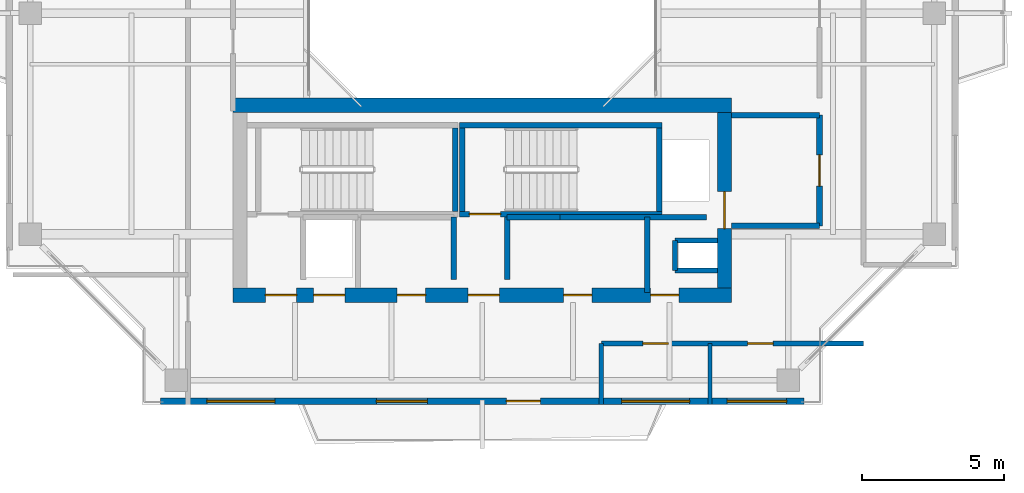
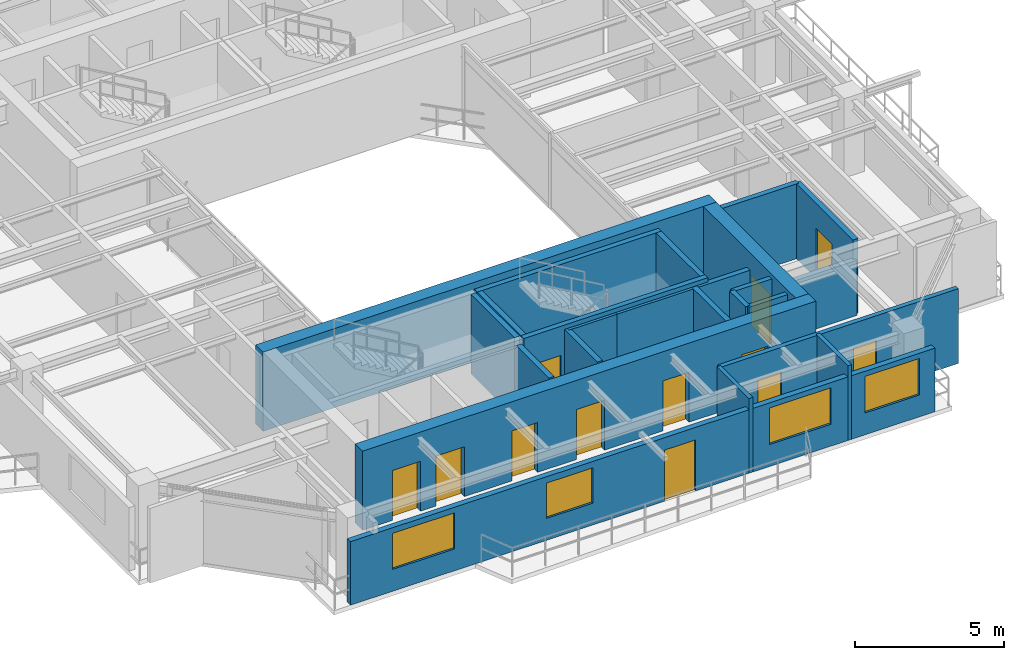
# One storey, part 10 of 15: 23 walls, 12 doors, 4 windows, 16 openings.
"""IFC4 building model written with IfcOpenShell, lengths in metres."""

from ifc_helpers import new_model, si_unit, direction, frame, frame_2d, origin, place, context, subcontext, project, spatial, rectangle, extrude, source, transform, mapped, material, layer, layer_set, type_object, element, fill, save


model = new_model("IFC4")

# Units and contexts
model_context = context("Model", 3, precision=1e-05, world=origin(), true_north=direction((0.0, 1.0)))
body_context = subcontext(model_context, "Body", "Model", "MODEL_VIEW")
ifc_project = project(units=[si_unit("LENGTHUNIT", "METRE"), si_unit("AREAUNIT", "SQUARE_METRE"), si_unit("VOLUMEUNIT", "CUBIC_METRE"), si_unit("PLANEANGLEUNIT", "RADIAN"), si_unit("MASSUNIT", "GRAM", prefix="KILO"), si_unit("THERMODYNAMICTEMPERATUREUNIT", "KELVIN"), si_unit("POWERUNIT", "WATT")], contexts=[model_context])

# Site, building, storey
site_placement = place(None, origin())
site = spatial("IfcSite", under=ifc_project, at=site_placement, CompositionType="ELEMENT")
building_placement = place(site_placement, origin())
building = spatial("IfcBuilding", under=site, at=building_placement, Name="Qiaomeng Ring Towers", CompositionType="ELEMENT")
storey_placement = place(building_placement, frame((0.0, 0.0, 226.25)))
storey = spatial("IfcBuildingStorey", under=building, at=storey_placement, Name="L66", CompositionType="ELEMENT", Elevation=226.25)

# Wall, openings, windows, door
ifc_material_1 = material(Name="Precast concrete C40", Category="concrete")
ifc_layer_1 = layer(ifc_material_1, 0.219970703125, Name="Precast concrete C40")
ifc_layer_set_1 = layer_set([ifc_layer_1], Name="Precast concrete C40")
wall_type_1 = type_object("IfcWallType", Name="ARC-WL-EW2", PredefinedType="STANDARD", material=ifc_layer_set_1)
wall_1_placement = place(storey_placement, frame((7.64990234375, 6.31005859375, 0.0), z_axis=(0.0, 0.0, 1.0), x_axis=(1.0, 0.0, 0.0)))
wall_1 = element("IfcWall", 1, at=wall_1_placement, inside=storey, type_object=wall_type_1, Name="L66 Tower 1 S Exterior Wall", PredefinedType="STANDARD", context=body_context, shape_type="SweptSolid", body=[
    extrude(rectangle(XDim=22.7001953125, YDim=0.219970703125, at=frame_2d((11.35009765625, 0.0))), origin(), (0.0, 0.0, 1.0), 2.610107421875),
])
opening_1_placement = place(wall_1_placement, frame((12.199951171875, 0.0, 0.0)))
opening_1 = element("IfcOpeningElement", 2, at=opening_1_placement, cuts=wall_1, Name="Opening BD1", PredefinedType="OPENING", context=body_context, shape_type="SweptSolid", body=[
    extrude(rectangle(XDim=1.199951171875, YDim=2.10009765625, at=frame_2d((0.60009765625, 1.050048828125))), frame((0.0, 0.119873046875, 0.0), z_axis=(0.0, -1.0, 0.0), x_axis=(1.0, 0.0, 0.0)), (0.0, 0.0, 1.0), 0.239990234375),
])
opening_2_placement = place(wall_1_placement, frame((1.636962890625, 0.0, 0.89990234375)))
opening_2 = element("IfcOpeningElement", 3, at=opening_2_placement, cuts=wall_1, Name="Opening WN6", PredefinedType="OPENING", context=body_context, shape_type="SweptSolid", body=[
    extrude(rectangle(XDim=2.39990234375, YDim=1.47998046875, at=frame_2d((1.199951171875, 0.739990234375))), frame((0.0, 0.119873046875, 0.0), z_axis=(0.0, -1.0, 0.0), x_axis=(1.0, 0.0, 0.0)), (0.0, 0.0, 1.0), 0.239990234375),
])
opening_3_placement = place(wall_1_placement, frame((7.612060546875, 0.0, 0.89990234375)))
opening_3 = element("IfcOpeningElement", 4, at=opening_3_placement, cuts=wall_1, Name="Opening WN1", PredefinedType="OPENING", context=body_context, shape_type="SweptSolid", body=[
    extrude(rectangle(XDim=1.800048828125, YDim=1.449951171875, at=frame_2d((0.89990234375, 0.72509765625))), frame((0.0, 0.119873046875, 0.0), z_axis=(0.0, -1.0, 0.0), x_axis=(1.0, 0.0, 0.0)), (0.0, 0.0, 1.0), 0.239990234375),
])
opening_4_placement = place(wall_1_placement, frame((19.987548828125, 0.0, 0.89990234375)))
opening_4 = element("IfcOpeningElement", 5, at=opening_4_placement, cuts=wall_1, Name="Opening WN4", PredefinedType="OPENING", context=body_context, shape_type="SweptSolid", body=[
    extrude(rectangle(XDim=2.10009765625, YDim=1.5, at=frame_2d((1.050048828125, 0.75))), frame((0.0, 0.119873046875, 0.0), z_axis=(0.0, -1.0, 0.0), x_axis=(1.0, 0.0, 0.0)), (0.0, 0.0, 1.0), 0.239990234375),
])
opening_5_placement = place(wall_1_placement, frame((16.27001953125, 0.0, 0.89990234375)))
opening_5 = element("IfcOpeningElement", 6, at=opening_5_placement, cuts=wall_1, Name="Opening WN6", PredefinedType="OPENING", context=body_context, shape_type="SweptSolid", body=[
    extrude(rectangle(XDim=2.39990234375, YDim=1.5, at=frame_2d((1.199951171875, 0.75))), frame((0.0, 0.119873046875, 0.0), z_axis=(0.0, -1.0, 0.0), x_axis=(1.0, 0.0, 0.0)), (0.0, 0.0, 1.0), 0.239990234375),
])
ifc_material_2 = material(Name="Low-E dark-grey laminated double glazing", Category="glass")
window_type_1 = type_object("IfcWindowType", Name="ARC-WN-4", PartitioningType="TRIPLE_PANEL_VERTICAL", PredefinedType="WINDOW", material=ifc_material_2)
shared_shape_1 = source(origin(), body_context, "Body", "SweptSolid", [
    extrude(rectangle(XDim=2.10009765625, YDim=1.5, at=frame_2d((1.050048828125, 0.75))), frame((0.0, 0.030029296875, 0.0), z_axis=(0.0, -1.0, 0.0), x_axis=(1.0, 0.0, 0.0)), (0.0, 0.0, 1.0), 0.06005859375),
])
window_1_placement = place(opening_4_placement, origin())
window_1 = element("IfcWindow", 7, at=window_1_placement, inside=storey, type_object=window_type_1, Name="L66 Exterior Window WN4", OverallHeight=1.5, OverallWidth=2.10009765625, PartitioningType="TRIPLE_PANEL_VERTICAL", PredefinedType="WINDOW", context=body_context, shape_type="MappedRepresentation", body=[
    mapped(shared_shape_1, transform((0.0, 0.0, 0.0), x_axis=(1.0, 0.0, 0.0), y_axis=(0.0, 1.0, 0.0), z_axis=(0.0, 0.0, 1.0), scale=1.0)),
])
fill(opening_4, window_1)
window_type_2 = type_object("IfcWindowType", Name="ARC-WN-1", PartitioningType="DOUBLE_PANEL_VERTICAL", PredefinedType="WINDOW", material=ifc_material_2)
shared_shape_2 = source(origin(), body_context, "Body", "SweptSolid", [
    extrude(rectangle(XDim=1.800048828125, YDim=1.449951171875, at=frame_2d((0.89990234375, 0.72509765625))), frame((0.0, 0.030029296875, 0.0), z_axis=(0.0, -1.0, 0.0), x_axis=(1.0, 0.0, 0.0)), (0.0, 0.0, 1.0), 0.06005859375),
])
window_2_placement = place(opening_3_placement, origin())
window_2 = element("IfcWindow", 8, at=window_2_placement, inside=storey, type_object=window_type_2, Name="L66 Exterior Window WN1", OverallHeight=1.449951171875, OverallWidth=1.800048828125, PartitioningType="DOUBLE_PANEL_VERTICAL", PredefinedType="WINDOW", context=body_context, shape_type="MappedRepresentation", body=[
    mapped(shared_shape_2, transform((0.0, 0.0, 0.0), x_axis=(1.0, 0.0, 0.0), y_axis=(0.0, 1.0, 0.0), z_axis=(0.0, 0.0, 1.0), scale=1.0)),
])
fill(opening_3, window_2)
window_type_3 = type_object("IfcWindowType", Name="ARC-WN-6", PartitioningType="TRIPLE_PANEL_VERTICAL", PredefinedType="WINDOW", material=ifc_material_2)
shared_shape_3 = source(origin(), body_context, "Body", "SweptSolid", [
    extrude(rectangle(XDim=2.39990234375, YDim=1.47998046875, at=frame_2d((1.199951171875, 0.739990234375))), frame((0.0, 0.030029296875, 0.0), z_axis=(0.0, -1.0, 0.0), x_axis=(1.0, 0.0, 0.0)), (0.0, 0.0, 1.0), 0.06005859375),
])
window_3_placement = place(opening_2_placement, origin())
window_3 = element("IfcWindow", 9, at=window_3_placement, inside=storey, type_object=window_type_3, Name="L66 Exterior Window WN6", OverallHeight=1.47998046875, OverallWidth=2.39990234375, PartitioningType="TRIPLE_PANEL_VERTICAL", PredefinedType="WINDOW", context=body_context, shape_type="MappedRepresentation", body=[
    mapped(shared_shape_3, transform((0.0, 0.0, 0.0), x_axis=(1.0, 0.0, 0.0), y_axis=(0.0, 1.0, 0.0), z_axis=(0.0, 0.0, 1.0), scale=1.0)),
])
fill(opening_2, window_3)
door_type_1 = type_object("IfcDoorType", Name="ARC-DR-BD1", OperationType="NOTDEFINED", PredefinedType="DOOR", material=ifc_material_2)
shared_shape_4 = source(origin(), body_context, "Body", "SweptSolid", [
    extrude(rectangle(XDim=1.199951171875, YDim=2.10009765625, at=frame_2d((0.60009765625, 1.050048828125))), frame((0.0, 0.02490234375, 0.0), z_axis=(0.0, -1.0, 0.0), x_axis=(1.0, 0.0, 0.0)), (0.0, 0.0, 1.0), 0.050048828125),
])
door_1_placement = place(opening_1_placement, frame((1.199951171875, 0.0, 0.0), z_axis=(0.0, 0.0, 1.0), x_axis=(-1.0, 0.0, 0.0)))
door_1 = element("IfcDoor", 10, at=door_1_placement, inside=storey, type_object=door_type_1, Name="L66 S Balcony Glazed Door", OperationType="SINGLE_SWING_LEFT", OverallHeight=2.10009765625, OverallWidth=1.199951171875, PredefinedType="DOOR", context=body_context, shape_type="MappedRepresentation", body=[
    mapped(shared_shape_4, transform((0.0, 0.0, 0.0), x_axis=(1.0, 0.0, 0.0), y_axis=(0.0, 1.0, 0.0), z_axis=(0.0, 0.0, 1.0), scale=1.0)),
])
fill(opening_1, door_1)
shared_shape_5 = source(origin(), body_context, "Body", "SweptSolid", [
    extrude(rectangle(XDim=2.39990234375, YDim=1.5, at=frame_2d((1.199951171875, 0.75))), frame((0.0, 0.030029296875, 0.0), z_axis=(0.0, -1.0, 0.0), x_axis=(1.0, 0.0, 0.0)), (0.0, 0.0, 1.0), 0.06005859375),
])
window_4_placement = place(opening_5_placement, origin())
window_4 = element("IfcWindow", 11, at=window_4_placement, inside=storey, type_object=window_type_3, Name="L66 Exterior Window WN6", OverallHeight=1.5, OverallWidth=2.39990234375, PartitioningType="TRIPLE_PANEL_VERTICAL", PredefinedType="WINDOW", context=body_context, shape_type="MappedRepresentation", body=[
    mapped(shared_shape_5, transform((0.0, 0.0, 0.0), x_axis=(1.0, 0.0, 0.0), y_axis=(0.0, 1.0, 0.0), z_axis=(0.0, 0.0, 1.0), scale=1.0)),
])
fill(opening_5, window_4)

# Walls
ifc_material_3 = material(Name="Autoclaved aerated concrete block", Category="concrete")
ifc_layer_2 = layer(ifc_material_3, 0.199951171875, Name="Autoclaved aerated concrete block")
ifc_layer_set_2 = layer_set([ifc_layer_2], Name="Autoclaved aerated concrete block")
wall_type_2 = type_object("IfcWallType", Name="ARC-WL-PW1", PredefinedType="PARTITIONING", material=ifc_layer_set_2)
wall_2_placement = place(storey_placement, frame((27.800048828125, 16.39990234375, 0.0), z_axis=(0.0, 0.0, 1.0), x_axis=(1.0, 0.0, 0.0)))
element("IfcWall", 12, at=wall_2_placement, inside=storey, type_object=wall_type_2, Name="L66 Interior Wall PW1", PredefinedType="PARTITIONING", context=body_context, shape_type="SweptSolid", body=[
    extrude(rectangle(XDim=3.099853515625, YDim=0.199951171875, at=frame_2d((1.5498046875, 0.0))), origin(), (0.0, 0.0, 1.0), 3.070068359375),
])
wall_3_placement = place(storey_placement, frame((27.800048828125, 12.5, 0.0), z_axis=(0.0, 0.0, 1.0), x_axis=(1.0, 0.0, 0.0)))
element("IfcWall", 13, at=wall_3_placement, inside=storey, type_object=wall_type_2, Name="L66 Interior Wall PW1", PredefinedType="PARTITIONING", context=body_context, shape_type="SweptSolid", body=[
    extrude(rectangle(XDim=3.099853515625, YDim=0.199951171875, at=frame_2d((1.5498046875, 0.0))), origin(), (0.0, 0.0, 1.0), 2.264892578125),
])

# Wall, opening, door
wall_4_placement = place(storey_placement, frame((30.89990234375, 12.5, 0.0), z_axis=(0.0, 0.0, 1.0), x_axis=(0.0, 1.0, 0.0)))
wall_4 = element("IfcWall", 14, at=wall_4_placement, inside=storey, type_object=wall_type_2, Name="L66 Interior Wall PW1", PredefinedType="PARTITIONING", context=body_context, shape_type="SweptSolid", body=[
    extrude(rectangle(XDim=3.89990234375, YDim=0.199951171875, at=frame_2d((1.949951171875, 0.0))), origin(), (0.0, 0.0, 1.0), 3.070068359375),
])
opening_6_placement = place(wall_4_placement, frame((1.39990234375, 0.0, 0.0)))
opening_6 = element("IfcOpeningElement", 15, at=opening_6_placement, cuts=wall_4, Name="Opening FD3", PredefinedType="OPENING", context=body_context, shape_type="SweptSolid", body=[
    extrude(rectangle(XDim=1.10009765625, YDim=2.050048828125, at=frame_2d((0.550048828125, 1.02490234375))), frame((0.0, 0.10986328125, 0.0), z_axis=(0.0, -1.0, 0.0), x_axis=(1.0, 0.0, 0.0)), (0.0, 0.0, 1.0), 0.219970703125),
])
ifc_material_4 = material(Name="Galvanised steel", Category="steel")
door_type_2 = type_object("IfcDoorType", Name="ARC-DR-FD3", OperationType="NOTDEFINED", PredefinedType="DOOR", material=ifc_material_4)
shared_shape_6 = source(origin(), body_context, "Body", "SweptSolid", [
    extrude(rectangle(XDim=1.10009765625, YDim=2.050048828125, at=frame_2d((0.550048828125, 1.02490234375))), frame((0.0, 0.02490234375, 0.0), z_axis=(0.0, -1.0, 0.0), x_axis=(1.0, 0.0, 0.0)), (0.0, 0.0, 1.0), 0.050048828125),
])
door_2_placement = place(opening_6_placement, origin())
door_2 = element("IfcDoor", 16, at=door_2_placement, inside=storey, type_object=door_type_2, Name="L66 South FF Lobby Door", OperationType="SINGLE_SWING_RIGHT", OverallHeight=2.050048828125, OverallWidth=1.10009765625, PredefinedType="DOOR", context=body_context, shape_type="MappedRepresentation", body=[
    mapped(shared_shape_6, transform((0.0, 0.0, 0.0), x_axis=(1.0, 0.0, 0.0), y_axis=(0.0, 1.0, 0.0), z_axis=(0.0, 0.0, 1.0), scale=1.0)),
])
fill(opening_6, door_2)

# Walls
for number, where, z_axis, x_axis, name in (
    (17, (18.0, 10.60009765625, 0.0), (0.0, 0.0, 1.0), (0.0, 1.0, 0.0), "L66 Interior Wall PW1"),
    (18, (19.8798828125, 10.60009765625, 0.0), (0.0, 0.0, 1.0), (0.0, 1.0, 0.0), "L66 Interior Wall PW1"),
):
    element("IfcWall", number, at=place(storey_placement, frame(where, z_axis=z_axis, x_axis=x_axis)), inside=storey, type_object=wall_type_2, Name=name, PredefinedType="PARTITIONING", context=body_context, shape_type="SweptSolid", body=[
        extrude(rectangle(XDim=2.2099609375, YDim=0.199951171875, at=frame_2d((1.10498046875, 0.0))), origin(), (0.0, 0.0, 1.0), 3.070068359375),
    ])
wall_5_placement = place(storey_placement, frame((24.820068359375, 10.14990234375, 0.0), z_axis=(0.0, 0.0, 1.0), x_axis=(0.0, 1.0, 0.0)))
element("IfcWall", 19, at=wall_5_placement, inside=storey, type_object=wall_type_2, Name="L66 Interior Wall PW1", PredefinedType="PARTITIONING", context=body_context, shape_type="SweptSolid", body=[
    extrude(rectangle(XDim=2.650146484375, YDim=0.199951171875, at=frame_2d((1.3251953125, 0.0))), origin(), (0.0, 0.0, 1.0), 3.070068359375),
])
wall_6_placement = place(storey_placement, frame((19.8798828125, 12.800048828125, 0.0), z_axis=(0.0, 0.0, 1.0), x_axis=(1.0, 0.0, 0.0)))
element("IfcWall", 20, at=wall_6_placement, inside=storey, type_object=wall_type_2, Name="L66 Interior Wall PW1", PredefinedType="PARTITIONING", context=body_context, shape_type="SweptSolid", body=[
    extrude(rectangle(XDim=1.8701171875, YDim=0.199951171875, at=frame_2d((0.93505859375, 0.0))), origin(), (0.0, 0.0, 1.0), 3.070068359375),
])
wall_7_placement = place(storey_placement, frame((21.75, 12.800048828125, 0.0), z_axis=(0.0, 0.0, 1.0), x_axis=(1.0, 0.0, 0.0)))
element("IfcWall", 21, at=wall_7_placement, inside=storey, type_object=wall_type_2, Name="L66 Interior Wall PW1", PredefinedType="PARTITIONING", context=body_context, shape_type="SweptSolid", body=[
    extrude(rectangle(XDim=5.169921875, YDim=0.199951171875, at=frame_2d((2.5849609375, 0.0))), origin(), (0.0, 0.0, 1.0), 3.070068359375),
])

# Wall, openings, doors
ifc_layer_3 = layer(ifc_material_3, 0.179931640625, Name="Autoclaved aerated concrete block")
ifc_layer_set_3 = layer_set([ifc_layer_3], Name="Autoclaved aerated concrete block")
wall_type_3 = type_object("IfcWallType", Name="ARC-WL-PW2", PredefinedType="PARTITIONING", material=ifc_layer_set_3)
wall_8_placement = place(storey_placement, frame((23.199951171875, 8.35009765625, 0.0), z_axis=(0.0, 0.0, 1.0), x_axis=(1.0, 0.0, 0.0)))
wall_8 = element("IfcWall", 22, at=wall_8_placement, inside=storey, type_object=wall_type_3, Name="L66 Interior Wall PW2", PredefinedType="PARTITIONING", context=body_context, shape_type="SweptSolid", body=[
    extrude(rectangle(XDim=9.25, YDim=0.179931640625, at=frame_2d((4.625, 0.0))), origin(), (0.0, 0.0, 1.0), 3.070068359375),
])
opening_7_placement = place(wall_8_placement, frame((1.469970703125, 0.0, 0.0)))
opening_7 = element("IfcOpeningElement", 23, at=opening_7_placement, cuts=wall_8, Name="Opening ID1", PredefinedType="OPENING", context=body_context, shape_type="SweptSolid", body=[
    extrude(rectangle(XDim=0.89990234375, YDim=2.050048828125, at=frame_2d((0.449951171875, 1.02490234375))), frame((0.0, 0.099853515625, 0.0), z_axis=(0.0, -1.0, 0.0), x_axis=(1.0, 0.0, 0.0)), (0.0, 0.0, 1.0), 0.199951171875),
])
opening_8_placement = place(wall_8_placement, frame((5.1640625, 0.0, 0.0)))
opening_8 = element("IfcOpeningElement", 24, at=opening_8_placement, cuts=wall_8, Name="Opening ID1", PredefinedType="OPENING", context=body_context, shape_type="SweptSolid", body=[
    extrude(rectangle(XDim=0.89990234375, YDim=2.050048828125, at=frame_2d((0.449951171875, 1.02490234375))), frame((0.0, 0.099853515625, 0.0), z_axis=(0.0, -1.0, 0.0), x_axis=(1.0, 0.0, 0.0)), (0.0, 0.0, 1.0), 0.199951171875),
])
ifc_material_5 = material(Name="Engineered oak timber", Category="wood")
door_type_3 = type_object("IfcDoorType", Name="ARC-DR-ID1", OperationType="NOTDEFINED", PredefinedType="DOOR", material=ifc_material_5)
shared_shape_7 = source(origin(), body_context, "Body", "SweptSolid", [
    extrude(rectangle(XDim=0.89990234375, YDim=2.050048828125, at=frame_2d((0.449951171875, 1.02490234375))), frame((0.0, 0.02490234375, 0.0), z_axis=(0.0, -1.0, 0.0), x_axis=(1.0, 0.0, 0.0)), (0.0, 0.0, 1.0), 0.050048828125),
])
door_3_placement = place(opening_7_placement, origin())
door_3 = element("IfcDoor", 25, at=door_3_placement, inside=storey, type_object=door_type_3, Name="L66 Door ID1", OperationType="SINGLE_SWING_LEFT", OverallHeight=2.050048828125, OverallWidth=0.89990234375, PredefinedType="DOOR", context=body_context, shape_type="MappedRepresentation", body=[
    mapped(shared_shape_7, transform((0.0, 0.0, 0.0), x_axis=(1.0, 0.0, 0.0), y_axis=(0.0, 1.0, 0.0), z_axis=(0.0, 0.0, 1.0), scale=1.0)),
])
fill(opening_7, door_3)
door_4_placement = place(opening_8_placement, origin())
door_4 = element("IfcDoor", 26, at=door_4_placement, inside=storey, type_object=door_type_3, Name="L66 Door ID1", OperationType="SINGLE_SWING_RIGHT", OverallHeight=2.050048828125, OverallWidth=0.89990234375, PredefinedType="DOOR", context=body_context, shape_type="MappedRepresentation", body=[
    mapped(shared_shape_7, transform((0.0, 0.0, 0.0), x_axis=(1.0, 0.0, 0.0), y_axis=(0.0, 1.0, 0.0), z_axis=(0.0, 0.0, 1.0), scale=1.0)),
])
fill(opening_8, door_4)

# Walls
ifc_material_6 = material(Name="Gypsum fireboard steel-stud partition", Category="steel")
ifc_layer_4 = layer(ifc_material_6, 0.14990234375, Name="Gypsum fireboard steel-stud partition")
ifc_layer_set_4 = layer_set([ifc_layer_4], Name="Gypsum fireboard steel-stud partition")
wall_type_4 = type_object("IfcWallType", Name="ARC-WL-PW3", PredefinedType="PARTITIONING", material=ifc_layer_set_4)
for number, where, z_axis, x_axis, name in (
    (27, (23.199951171875, 6.199951171875, 0.0), (0.0, 0.0, 1.0), (0.0, 1.0, 0.0), "L66 Interior Wall PW3"),
    (28, (27.0400390625, 6.199951171875, 0.0), (0.0, 0.0, 1.0), (0.0, 1.0, 0.0), "L66 Interior Wall PW3"),
):
    element("IfcWall", number, at=place(storey_placement, frame(where, z_axis=z_axis, x_axis=x_axis)), inside=storey, type_object=wall_type_4, Name=name, PredefinedType="PARTITIONING", context=body_context, shape_type="SweptSolid", body=[
        extrude(rectangle(XDim=2.150146484375, YDim=0.14990234375, at=frame_2d((1.0751953125, 0.0))), origin(), (0.0, 0.0, 1.0), 3.070068359375),
    ])
ifc_material_7 = material(Name="Concrete C40", Category="concrete")
ifc_layer_5 = layer(ifc_material_7, 0.199951171875, Name="Concrete C40")
ifc_layer_set_5 = layer_set([ifc_layer_5], Name="Concrete C40")
wall_type_5 = type_object("IfcWallType", Name="STR-WL-STSHAFT", PredefinedType="SHEAR", material=ifc_layer_set_5)
wall_9_placement = place(storey_placement, frame((25.800048828125, 10.919921875, 0.0), z_axis=(0.0, 0.0, 1.0), x_axis=(0.0, 1.0, 0.0)))
element("IfcWall", 29, at=wall_9_placement, inside=storey, type_object=wall_type_5, Name="L66 Riser RSR1 West Shaft Wall S", PredefinedType="SHEAR", context=body_context, shape_type="SweptSolid", body=[
    extrude(rectangle(XDim=1.06005859375, YDim=0.179931640625, at=frame_2d((0.530029296875, 0.0))), origin(), (0.0, 0.0, 1.0), 3.070068359375),
])
for number, where, z_axis, x_axis, name in (
    (30, (25.800048828125, 11.97998046875, 0.0), (0.0, 0.0, 1.0), (1.0, 0.0, 0.0), "L66 Riser RSR1 North Shaft Wall S"),
    (31, (25.800048828125, 10.919921875, 0.0), (0.0, 0.0, 1.0), (1.0, 0.0, 0.0), "L66 Riser RSR1 South Shaft Wall S"),
):
    element("IfcWall", number, at=place(storey_placement, frame(where, z_axis=z_axis, x_axis=x_axis)), inside=storey, type_object=wall_type_5, Name=name, PredefinedType="SHEAR", context=body_context, shape_type="SweptSolid", body=[
        extrude(rectangle(XDim=1.5, YDim=0.179931640625, at=frame_2d((0.75, 0.0))), origin(), (0.0, 0.0, 1.0), 3.070068359375),
    ])
wall_10_placement = place(storey_placement, frame((18.050048828125, 13.010009765625, 0.0), z_axis=(0.0, 0.0, 1.0), x_axis=(0.0, 1.0, 0.0)))
element("IfcWall", 32, at=wall_10_placement, inside=storey, type_object=wall_type_5, Name="L66 Stair ST3 East Shaft Shear Wall", PredefinedType="SHEAR", context=body_context, shape_type="SweptSolid", body=[
    extrude(rectangle(XDim=2.93994140625, YDim=0.199951171875, at=frame_2d((1.469970703125, 0.0))), origin(), (0.0, 0.0, 1.0), 3.25),
])

# Wall, opening, door
wall_11_placement = place(storey_placement, frame((18.199951171875, 12.909912109375, 0.0), z_axis=(0.0, 0.0, 1.0), x_axis=(1.0, 0.0, 0.0)))
wall_11 = element("IfcWall", 33, at=wall_11_placement, inside=storey, type_object=wall_type_5, Name="L66 Stair ST4 South Shaft Shear Wall", PredefinedType="SHEAR", context=body_context, shape_type="SweptSolid", body=[
    extrude(rectangle(XDim=7.150146484375, YDim=0.199951171875, at=frame_2d((3.5751953125, 0.0))), origin(), (0.0, 0.0, 1.0), 3.25),
])
opening_9_placement = place(wall_11_placement, frame((0.35009765625, 0.0, 0.0)))
opening_9 = element("IfcOpeningElement", 34, at=opening_9_placement, cuts=wall_11, Name="Opening FD3", PredefinedType="OPENING", context=body_context, shape_type="SweptSolid", body=[
    extrude(rectangle(XDim=1.10009765625, YDim=2.050048828125, at=frame_2d((0.550048828125, 1.02490234375))), frame((0.0, 0.10986328125, 0.0), z_axis=(0.0, -1.0, 0.0), x_axis=(1.0, 0.0, 0.0)), (0.0, 0.0, 1.0), 0.219970703125),
])
door_5_placement = place(opening_9_placement, frame((1.10009765625, 0.0, 0.0), z_axis=(0.0, 0.0, 1.0), x_axis=(-1.0, 0.0, 0.0)))
door_5 = element("IfcDoor", 35, at=door_5_placement, inside=storey, type_object=door_type_2, Name="L66 Stair ST4 Exit Door", OperationType="SINGLE_SWING_RIGHT", OverallHeight=2.050048828125, OverallWidth=1.10009765625, PredefinedType="DOOR", context=body_context, shape_type="MappedRepresentation", body=[
    mapped(shared_shape_6, transform((0.0, 0.0, 0.0), x_axis=(1.0, 0.0, 0.0), y_axis=(0.0, 1.0, 0.0), z_axis=(0.0, 0.0, 1.0), scale=1.0)),
])
fill(opening_9, door_5)

# Walls
wall_12_placement = place(storey_placement, frame((18.199951171875, 16.050048828125, 0.0), z_axis=(0.0, 0.0, 1.0), x_axis=(1.0, 0.0, 0.0)))
element("IfcWall", 36, at=wall_12_placement, inside=storey, type_object=wall_type_5, Name="L66 Stair ST4 North Shaft Shear Wall", PredefinedType="SHEAR", context=body_context, shape_type="SweptSolid", body=[
    extrude(rectangle(XDim=7.150146484375, YDim=0.199951171875, at=frame_2d((3.5751953125, 0.0))), origin(), (0.0, 0.0, 1.0), 3.25),
])
for number, where, z_axis, x_axis, name in (
    (37, (18.300048828125, 13.010009765625, 0.0), (0.0, 0.0, 1.0), (0.0, 1.0, 0.0), "L66 Stair ST4 West Shaft Shear Wall"),
    (38, (25.25, 13.010009765625, 0.0), (0.0, 0.0, 1.0), (0.0, 1.0, 0.0), "L66 Stair ST4 East Shaft Shear Wall"),
):
    element("IfcWall", number, at=place(storey_placement, frame(where, z_axis=z_axis, x_axis=x_axis)), inside=storey, type_object=wall_type_5, Name=name, PredefinedType="SHEAR", context=body_context, shape_type="SweptSolid", body=[
        extrude(rectangle(XDim=2.93994140625, YDim=0.199951171875, at=frame_2d((1.469970703125, 0.0))), origin(), (0.0, 0.0, 1.0), 3.25),
    ])

# Wall, openings, doors
ifc_layer_6 = layer(ifc_material_7, 0.5, Name="Concrete C40")
ifc_layer_set_6 = layer_set([ifc_layer_6], Name="Concrete C40")
wall_type_6 = type_object("IfcWallType", Name="STR-WL-SW3", PredefinedType="SHEAR", material=ifc_layer_set_6)
wall_13_placement = place(storey_placement, frame((10.199951171875, 10.050048828125, 0.0), z_axis=(0.0, 0.0, 1.0), x_axis=(1.0, 0.0, 0.0)))
wall_13 = element("IfcWall", 39, at=wall_13_placement, inside=storey, type_object=wall_type_6, Name="L66 T1SC south core shear wall", PredefinedType="SHEAR", context=body_context, shape_type="SweptSolid", body=[
    extrude(rectangle(XDim=17.60009765625, YDim=0.5, at=frame_2d((8.800048828125, 0.0))), origin(), (0.0, 0.0, 1.0), 3.25),
])
opening_10_placement = place(wall_13_placement, frame((1.14990234375, 0.0, 0.0)))
opening_10 = element("IfcOpeningElement", 40, at=opening_10_placement, cuts=wall_13, Name="Opening FD3", PredefinedType="OPENING", context=body_context, shape_type="SweptSolid", body=[
    extrude(rectangle(XDim=1.10009765625, YDim=2.050048828125, at=frame_2d((0.550048828125, 1.02490234375))), frame((0.0, 0.260009765625, 0.0), z_axis=(0.0, -1.0, 0.0), x_axis=(1.0, 0.0, 0.0)), (0.0, 0.0, 1.0), 0.52001953125),
])
opening_11_placement = place(wall_13_placement, frame((8.300048828125, 0.0, 0.0)))
opening_11 = element("IfcOpeningElement", 41, at=opening_11_placement, cuts=wall_13, Name="Opening FD3", PredefinedType="OPENING", context=body_context, shape_type="SweptSolid", body=[
    extrude(rectangle(XDim=1.10009765625, YDim=2.050048828125, at=frame_2d((0.550048828125, 1.02490234375))), frame((0.0, 0.260009765625, 0.0), z_axis=(0.0, -1.0, 0.0), x_axis=(1.0, 0.0, 0.0)), (0.0, 0.0, 1.0), 0.52001953125),
])
opening_12_placement = place(wall_13_placement, frame((2.85009765625, 0.0, 0.0)))
opening_12 = element("IfcOpeningElement", 42, at=opening_12_placement, cuts=wall_13, Name="Opening LD1", PredefinedType="OPENING", context=body_context, shape_type="SweptSolid", body=[
    extrude(rectangle(XDim=1.10009765625, YDim=2.050048828125, at=frame_2d((0.550048828125, 1.02490234375))), frame((0.0, 0.260009765625, 0.0), z_axis=(0.0, -1.0, 0.0), x_axis=(1.0, 0.0, 0.0)), (0.0, 0.0, 1.0), 0.52001953125),
])
opening_13_placement = place(wall_13_placement, frame((5.800048828125, 0.0, 0.0)))
opening_13 = element("IfcOpeningElement", 43, at=opening_13_placement, cuts=wall_13, Name="Opening FD1", PredefinedType="OPENING", context=body_context, shape_type="SweptSolid", body=[
    extrude(rectangle(XDim=1.0, YDim=2.050048828125, at=frame_2d((0.5, 1.02490234375))), frame((0.0, 0.260009765625, 0.0), z_axis=(0.0, -1.0, 0.0), x_axis=(1.0, 0.0, 0.0)), (0.0, 0.0, 1.0), 0.52001953125),
])
opening_14_placement = place(wall_13_placement, frame((14.739990234375, 0.0, 0.0)))
opening_14 = element("IfcOpeningElement", 44, at=opening_14_placement, cuts=wall_13, Name="Opening FD1", PredefinedType="OPENING", context=body_context, shape_type="SweptSolid", body=[
    extrude(rectangle(XDim=1.0, YDim=2.050048828125, at=frame_2d((0.5, 1.02490234375))), frame((0.0, 0.260009765625, 0.0), z_axis=(0.0, -1.0, 0.0), x_axis=(1.0, 0.0, 0.0)), (0.0, 0.0, 1.0), 0.52001953125),
])
opening_15_placement = place(wall_13_placement, frame((11.669921875, 0.0, 0.0)))
opening_15 = element("IfcOpeningElement", 45, at=opening_15_placement, cuts=wall_13, Name="Opening FD1", PredefinedType="OPENING", context=body_context, shape_type="SweptSolid", body=[
    extrude(rectangle(XDim=1.0, YDim=2.050048828125, at=frame_2d((0.5, 1.02490234375))), frame((0.0, 0.260009765625, 0.0), z_axis=(0.0, -1.0, 0.0), x_axis=(1.0, 0.0, 0.0)), (0.0, 0.0, 1.0), 0.52001953125),
])
door_6_placement = place(opening_10_placement, origin())
door_6 = element("IfcDoor", 46, at=door_6_placement, inside=storey, type_object=door_type_2, Name="L66 Stair ST3 Lobby Door", OperationType="SINGLE_SWING_LEFT", OverallHeight=2.050048828125, OverallWidth=1.10009765625, PredefinedType="DOOR", context=body_context, shape_type="MappedRepresentation", body=[
    mapped(shared_shape_6, transform((0.0, 0.0, 0.0), x_axis=(1.0, 0.0, 0.0), y_axis=(0.0, 1.0, 0.0), z_axis=(0.0, 0.0, 1.0), scale=1.0)),
])
fill(opening_10, door_6)
door_7_placement = place(opening_11_placement, origin())
door_7 = element("IfcDoor", 47, at=door_7_placement, inside=storey, type_object=door_type_2, Name="L66 Stair ST4 Lobby Door", OperationType="SINGLE_SWING_LEFT", OverallHeight=2.050048828125, OverallWidth=1.10009765625, PredefinedType="DOOR", context=body_context, shape_type="MappedRepresentation", body=[
    mapped(shared_shape_6, transform((0.0, 0.0, 0.0), x_axis=(1.0, 0.0, 0.0), y_axis=(0.0, 1.0, 0.0), z_axis=(0.0, 0.0, 1.0), scale=1.0)),
])
fill(opening_11, door_7)
ifc_material_8 = material(Name="Stainless steel 316", Category="steel")
door_type_4 = type_object("IfcDoorType", Name="ARC-DR-LD1", OperationType="NOTDEFINED", PredefinedType="DOOR", material=ifc_material_8)
door_8_placement = place(opening_12_placement, origin())
door_8 = element("IfcDoor", 48, at=door_8_placement, inside=storey, type_object=door_type_4, Name="L66 High-Zone Lift LP6 Landing Door", OperationType="SLIDING_TO_RIGHT", OverallHeight=2.050048828125, OverallWidth=1.10009765625, PredefinedType="DOOR", context=body_context, shape_type="MappedRepresentation", body=[
    mapped(shared_shape_6, transform((0.0, 0.0, 0.0), x_axis=(1.0, 0.0, 0.0), y_axis=(0.0, 1.0, 0.0), z_axis=(0.0, 0.0, 1.0), scale=1.0)),
])
fill(opening_12, door_8)
door_type_5 = type_object("IfcDoorType", Name="ARC-DR-FD1", OperationType="NOTDEFINED", PredefinedType="DOOR", material=ifc_material_4)
shared_shape_8 = source(origin(), body_context, "Body", "SweptSolid", [
    extrude(rectangle(XDim=1.0, YDim=2.050048828125, at=frame_2d((0.5, 1.02490234375))), frame((0.0, 0.02490234375, 0.0), z_axis=(0.0, -1.0, 0.0), x_axis=(1.0, 0.0, 0.0)), (0.0, 0.0, 1.0), 0.050048828125),
])
door_9_placement = place(opening_13_placement, origin())
door_9 = element("IfcDoor", 49, at=door_9_placement, inside=storey, type_object=door_type_5, Name="L66 High-Zone Freed Core Room Door", OperationType="SINGLE_SWING_RIGHT", OverallHeight=2.050048828125, OverallWidth=1.0, PredefinedType="DOOR", context=body_context, shape_type="MappedRepresentation", body=[
    mapped(shared_shape_8, transform((0.0, 0.0, 0.0), x_axis=(1.0, 0.0, 0.0), y_axis=(0.0, 1.0, 0.0), z_axis=(0.0, 0.0, 1.0), scale=1.0)),
])
fill(opening_13, door_9)
door_10_placement = place(opening_14_placement, origin())
door_10 = element("IfcDoor", 50, at=door_10_placement, inside=storey, type_object=door_type_5, Name="L66 South Electrical Riser Door", OperationType="SINGLE_SWING_RIGHT", OverallHeight=2.050048828125, OverallWidth=1.0, PredefinedType="DOOR", context=body_context, shape_type="MappedRepresentation", body=[
    mapped(shared_shape_8, transform((0.0, 0.0, 0.0), x_axis=(1.0, 0.0, 0.0), y_axis=(0.0, 1.0, 0.0), z_axis=(0.0, 0.0, 1.0), scale=1.0)),
])
fill(opening_14, door_10)
door_11_placement = place(opening_15_placement, origin())
door_11 = element("IfcDoor", 51, at=door_11_placement, inside=storey, type_object=door_type_5, Name="L66 South Building Management Office Door", OperationType="SINGLE_SWING_LEFT", OverallHeight=2.050048828125, OverallWidth=1.0, PredefinedType="DOOR", context=body_context, shape_type="MappedRepresentation", body=[
    mapped(shared_shape_8, transform((0.0, 0.0, 0.0), x_axis=(1.0, 0.0, 0.0), y_axis=(0.0, 1.0, 0.0), z_axis=(0.0, 0.0, 1.0), scale=1.0)),
])
fill(opening_15, door_11)

# Wall
wall_14_placement = place(storey_placement, frame((10.199951171875, 16.75, 0.0), z_axis=(0.0, 0.0, 1.0), x_axis=(1.0, 0.0, 0.0)))
element("IfcWall", 52, at=wall_14_placement, inside=storey, type_object=wall_type_6, Name="L66 T1SC north core shear wall", PredefinedType="SHEAR", context=body_context, shape_type="SweptSolid", body=[
    extrude(rectangle(XDim=17.60009765625, YDim=0.5, at=frame_2d((8.800048828125, 0.0))), origin(), (0.0, 0.0, 1.0), 3.25),
])

# Wall, opening, door
wall_15_placement = place(storey_placement, frame((27.550048828125, 10.300048828125, 0.0), z_axis=(0.0, 0.0, 1.0), x_axis=(0.0, 1.0, 0.0)))
wall_15 = element("IfcWall", 53, at=wall_15_placement, inside=storey, type_object=wall_type_6, Name="L66 T1SC east core shear wall", PredefinedType="SHEAR", context=body_context, shape_type="SweptSolid", body=[
    extrude(rectangle(XDim=6.199951171875, YDim=0.5, at=frame_2d((3.10009765625, 0.0))), origin(), (0.0, 0.0, 1.0), 3.25),
])
opening_16_placement = place(wall_15_placement, frame((2.10009765625, 0.0, 0.0)))
opening_16 = element("IfcOpeningElement", 54, at=opening_16_placement, cuts=wall_15, Name="Opening LD2", PredefinedType="OPENING", context=body_context, shape_type="SweptSolid", body=[
    extrude(rectangle(XDim=1.300048828125, YDim=2.050048828125, at=frame_2d((0.64990234375, 1.02490234375))), frame((0.0, 0.260009765625, 0.0), z_axis=(0.0, -1.0, 0.0), x_axis=(1.0, 0.0, 0.0)), (0.0, 0.0, 1.0), 0.52001953125),
])
door_type_6 = type_object("IfcDoorType", Name="ARC-DR-LD2", OperationType="NOTDEFINED", PredefinedType="DOOR", material=ifc_material_8)
shared_shape_9 = source(origin(), body_context, "Body", "SweptSolid", [
    extrude(rectangle(XDim=1.300048828125, YDim=2.050048828125, at=frame_2d((0.64990234375, 1.02490234375))), frame((0.0, 0.02490234375, 0.0), z_axis=(0.0, -1.0, 0.0), x_axis=(1.0, 0.0, 0.0)), (0.0, 0.0, 1.0), 0.050048828125),
])
door_12_placement = place(opening_16_placement, origin())
door_12 = element("IfcDoor", 55, at=door_12_placement, inside=storey, type_object=door_type_6, Name="L66 Firefighting Lift FL2 Landing Door", OperationType="SLIDING_TO_RIGHT", OverallHeight=2.050048828125, OverallWidth=1.300048828125, PredefinedType="DOOR", context=body_context, shape_type="MappedRepresentation", body=[
    mapped(shared_shape_9, transform((0.0, 0.0, 0.0), x_axis=(1.0, 0.0, 0.0), y_axis=(0.0, 1.0, 0.0), z_axis=(0.0, 0.0, 1.0), scale=1.0)),
])
fill(opening_16, door_12)

save(model, "model.ifc")
